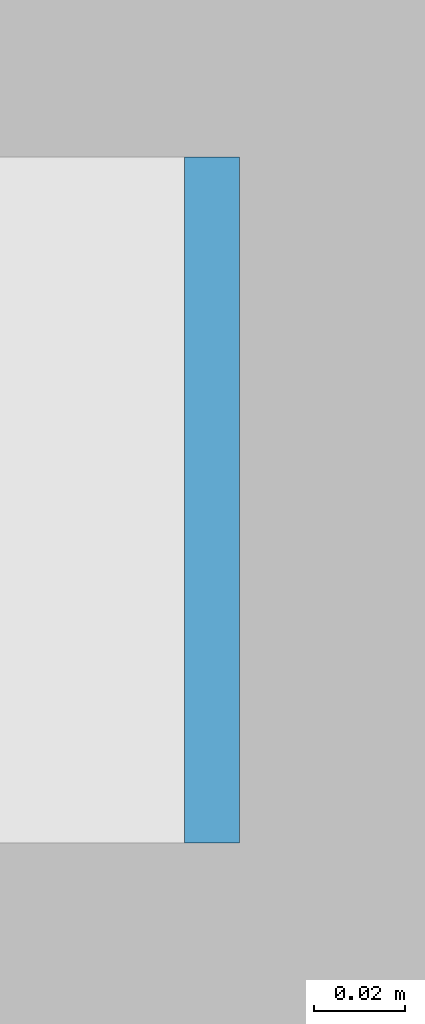
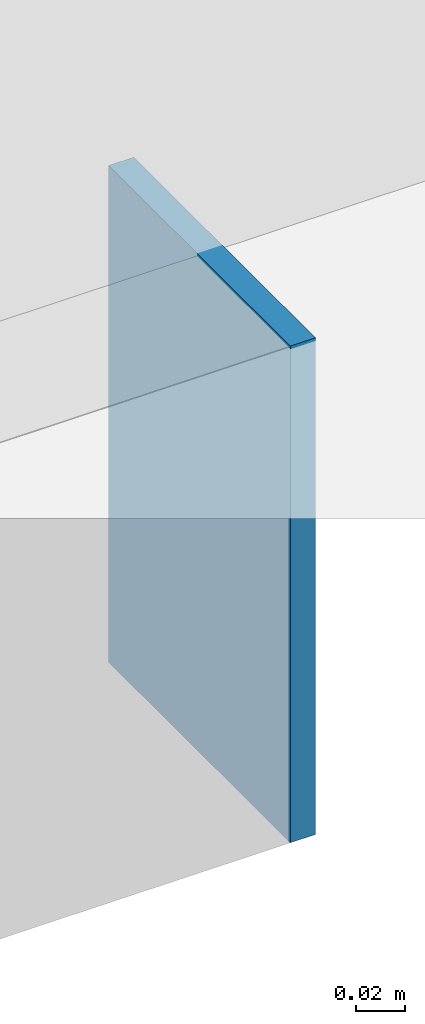
# One storey, part 74 of 98: 1 discrete accessory.
"""IFC4 building model written with IfcOpenShell, lengths in metres."""

import ifcopenshell
import ifcopenshell.guid

model = None  # the IFC model being written
_history = None  # IfcOwnerHistory: only IFC2X3 demands one
_inside = {}  # id of a spatial element -> (the spatial element, [elements in it])
_under = {}  # id of a project, library or spatial element -> (it, [spatial elements below it])
_declared = {}  # id of a project -> (the project, [libraries it declares])
_typed = {}  # id of a type object -> (the type object, [elements of that type])
_made_of = {}  # id of a material, layer set ... -> (it, [elements and type objects made of it])


def new_model(schema):
    """Start an empty IFC model of exactly this schema.

    Asked for "IFC4X3", IfcOpenShell would pick the latest addendum, in which some entities
    have other attributes; the version numbers below select the first issue.
    IFC2X3 requires an IfcOwnerHistory on every rooted entity: one is made here for all.
    """
    global model, _history
    if schema == "IFC4X3":
        model = ifcopenshell.file(schema_version=(4, 3, 0, 0))
    else:
        model = ifcopenshell.file(schema=schema)
    _inside.clear()
    _under.clear()
    _declared.clear()
    _typed.clear()
    _made_of.clear()
    _history = None
    if model.schema == "IFC2X3":
        org = make("IfcOrganization", Name="unknown")
        user = make(
            "IfcPersonAndOrganization",
            ThePerson=make("IfcPerson", FamilyName="unknown"),
            TheOrganization=org,
        )
        app = make(
            "IfcApplication",
            ApplicationDeveloper=org,
            Version="unknown",
            ApplicationFullName="unknown",
            ApplicationIdentifier="unknown",
        )
        _history = make(
            "IfcOwnerHistory",
            OwningUser=user,
            OwningApplication=app,
            ChangeAction="ADDED",
            CreationDate=0,
        )
    return model


def make(cls, **values):
    """One entity of the class cls with the attributes given. An attribute that is None is left unset."""
    return model.create_entity(
        cls, **{name: value for name, value in values.items() if value is not None}
    )


def rooted(cls, **values):
    """An entity with a GlobalId (a new one), such as an element, a storey or a relation."""
    return make(cls, GlobalId=ifcopenshell.guid.new(), OwnerHistory=_history, **values)


def si_unit(unit_type, name, prefix=None):
    """IfcSIUnit, for example si_unit("LENGTHUNIT", "METRE", prefix="MILLI")."""
    return make("IfcSIUnit", UnitType=unit_type, Prefix=prefix, Name=name)


def assignment(units):
    """IfcUnitAssignment: the units of a project."""
    return None if units is None else make("IfcUnitAssignment", Units=units)


def point(xyz):
    """IfcCartesianPoint."""
    return None if xyz is None else make("IfcCartesianPoint", Coordinates=xyz)


def direction(xyz):
    """IfcDirection."""
    return None if xyz is None else make("IfcDirection", DirectionRatios=xyz)


def frame(location, z_axis=None, x_axis=None):
    """IfcAxis2Placement3D, a coordinate frame: its origin and axes. An axis left out is left unset."""
    return make(
        "IfcAxis2Placement3D",
        Location=point(location),
        Axis=direction(z_axis),
        RefDirection=direction(x_axis),
    )


def origin():
    """The frame at (0, 0, 0) with its axes left unset."""
    return frame((0.0, 0.0, 0.0))


def place(relative_to, where):
    """IfcLocalPlacement: puts the frame where relative to a parent placement (None: the world)."""
    return make(
        "IfcLocalPlacement", PlacementRelTo=relative_to, RelativePlacement=where
    )


def context(
    kind, dimensions, precision=None, world=None, true_north=None, identifier=None
):
    """IfcGeometricRepresentationContext, for example the 3D "Model" context."""
    return make(
        "IfcGeometricRepresentationContext",
        ContextIdentifier=identifier,
        ContextType=kind,
        CoordinateSpaceDimension=dimensions,
        Precision=precision,
        WorldCoordinateSystem=world,
        TrueNorth=true_north,
    )


def subcontext(parent, identifier, kind, view, scale=None):
    """IfcGeometricRepresentationSubContext, for example "Body" below "Model"."""
    return make(
        "IfcGeometricRepresentationSubContext",
        ContextIdentifier=identifier,
        ContextType=kind,
        ParentContext=parent,
        TargetScale=scale,
        TargetView=view,
    )


def project(units=None, contexts=None):
    """IfcProject with its units and contexts."""
    return rooted(
        "IfcProject",
        Name="project",
        RepresentationContexts=contexts,
        UnitsInContext=assignment(units),
    )


def spatial(cls, under=None, at=None, **own):
    """A site, building, storey or space (cls), placed at a placement, below another one or the project."""
    s = rooted(cls, ObjectPlacement=at, **own)
    if under is not None:
        _under.setdefault(under.id(), (under, []))[1].append(s)
    return s


def polyline(points):
    """IfcPolyline through the points."""
    return make("IfcPolyline", Points=[point(p) for p in points])


def outline(outer, holes=None, kind="AREA"):
    """IfcArbitraryClosedProfileDef: a profile drawn as a closed curve; with holes, ...WithVoids."""
    if holes is None:
        return make("IfcArbitraryClosedProfileDef", ProfileType=kind, OuterCurve=outer)
    return make(
        "IfcArbitraryProfileDefWithVoids",
        ProfileType=kind,
        OuterCurve=outer,
        InnerCurves=holes,
    )


def extrude(swept, where, along, depth):
    """IfcExtrudedAreaSolid: the profile swept, set in the frame where, extruded along a direction by depth."""
    return make(
        "IfcExtrudedAreaSolid",
        SweptArea=swept,
        Position=where,
        ExtrudedDirection=direction(along),
        Depth=depth,
    )


def shape(context_of_items, identifier, shape_type, items):
    """IfcShapeRepresentation: the items that make up one representation, for example the "Body"."""
    return make(
        "IfcShapeRepresentation",
        ContextOfItems=context_of_items,
        RepresentationIdentifier=identifier,
        RepresentationType=shape_type,
        Items=items,
    )


def material(Name=None, Category=None):
    """IfcMaterial."""
    return make("IfcMaterial", Name=Name, Category=Category)


def layer(
    of_material, thickness, ventilated=None, Name=None, Category=None, Priority=None
):
    """IfcMaterialLayer: one layer of a wall or slab, of a material (None: an air gap)."""
    return make(
        "IfcMaterialLayer",
        Material=of_material,
        LayerThickness=thickness,
        IsVentilated=ventilated,
        Name=Name,
        Category=Category,
        Priority=Priority,
    )


def layer_set(layers, Name=None):
    """IfcMaterialLayerSet."""
    return make("IfcMaterialLayerSet", MaterialLayers=layers, LayerSetName=Name)


def made_of(thing, what):
    """Note that an element or type object is made of a material, layer set ...; save() writes the relation."""
    if what is not None:
        _made_of.setdefault(what.id(), (what, []))[1].append(thing)
    return thing


def type_object(cls, material=None, **own):
    """A type object (cls), such as IfcWallType, which elements share."""
    return made_of(rooted(cls, **own), material)


def element(
    cls,
    number,
    at=None,
    inside=None,
    cuts=None,
    type_object=None,
    material=None,
    context=None,
    identifier="Body",
    shape_type=None,
    held_by="IfcProductDefinitionShape",
    body=None,
    shapes=None,
    **own,
):
    """One element of the class cls, such as IfcWall. Its Tag is "e" and its number.

    at: its placement. inside: the storey or other place that contains it. cuts: it is an
    opening in that element (IfcRelVoidsElement). A single representation is given by context,
    identifier, shape_type and body (its items); several are given by shapes. held_by: the class
    of the entity that holds the representations. save() writes the other relations.
    """
    e = rooted(cls, Tag="e%d" % number, ObjectPlacement=at, **own)
    if body is not None:
        shapes = [shape(context, identifier, shape_type, body)]
    if shapes is not None:
        e.Representation = make(held_by, Representations=shapes)
    if inside is not None:
        _inside.setdefault(inside.id(), (inside, []))[1].append(e)
    if cuts is not None:
        rooted(
            "IfcRelVoidsElement", RelatingBuildingElement=cuts, RelatedOpeningElement=e
        )
    if type_object is not None:
        _typed.setdefault(type_object.id(), (type_object, []))[1].append(e)
    return made_of(e, material)


def aggregate(whole, parts):
    """IfcRelAggregates: a whole, such as a stair, and the parts it consists of."""
    return rooted("IfcRelAggregates", RelatingObject=whole, RelatedObjects=parts)


def save(model, path):
    """Write the relations noted so far, then the file.

    IfcRelAggregates (storeys below a building ...), IfcRelContainedInSpatialStructure (elements
    in a storey), IfcRelDefinesByType, IfcRelAssociatesMaterial and IfcRelDeclares: one each for
    every whole, place, type object, material and project.
    """
    for whole, parts in _under.values():
        aggregate(whole, parts)
    for where, things in _inside.values():
        rooted(
            "IfcRelContainedInSpatialStructure",
            RelatedElements=things,
            RelatingStructure=where,
        )
    for kind, things in _typed.values():
        rooted("IfcRelDefinesByType", RelatedObjects=things, RelatingType=kind)
    for what, things in _made_of.values():
        rooted("IfcRelAssociatesMaterial", RelatedObjects=things, RelatingMaterial=what)
    for by, libraries in _declared.values():
        rooted("IfcRelDeclares", RelatingContext=by, RelatedDefinitions=libraries)
    model.write(path)


model = new_model("IFC4")

# Units and contexts
model_context = context("Model", 3, precision=1e-05, world=origin(), true_north=direction((0.0, 1.0)))
body_context = subcontext(model_context, "Body", "Model", "MODEL_VIEW")
ifc_project = project(units=[si_unit("LENGTHUNIT", "METRE"), si_unit("AREAUNIT", "SQUARE_METRE"), si_unit("VOLUMEUNIT", "CUBIC_METRE"), si_unit("PLANEANGLEUNIT", "RADIAN"), si_unit("MASSUNIT", "GRAM", prefix="KILO")], contexts=[model_context])

# Site, building, storey
site_placement = place(None, origin())
site = spatial("IfcSite", under=ifc_project, at=site_placement, CompositionType="ELEMENT")
building_placement = place(site_placement, origin())
building = spatial("IfcBuilding", under=site, at=building_placement, Name="Kisiwana Market Hall", CompositionType="ELEMENT")
storey_placement = place(building_placement, frame((0.0, 0.0, 29.39990234375)))
storey = spatial("IfcBuildingStorey", under=building, at=storey_placement, Name="L06", CompositionType="ELEMENT", Elevation=29.39990234375)

# Discrete accessory
ifc_material = material(Name="Steel S355", Category="steel")
ifc_layer = layer(ifc_material, 0.011962890625)
ifc_layer_set = layer_set([ifc_layer], Name="ACC-ENDCAP-STL")
discrete_accessory_type = type_object("IfcDiscreteAccessoryType", Name="ACC-ENDCAP-STL", PredefinedType="USERDEFINED", material=ifc_layer_set)
discrete_accessory_placement = place(storey_placement, frame((0.0, 0.0, -0.494873046875)))
element("IfcDiscreteAccessory", 1, at=discrete_accessory_placement, inside=storey, type_object=discrete_accessory_type, Name="End cap plate EC-0087", ObjectType="End cap plate", PredefinedType="USERDEFINED", context=body_context, shape_type="SweptSolid", body=[
    extrude(outline(polyline([(8.85400390625, 110.925048828125), (8.865966796875, 110.925048828125), (8.865966796875, 111.074951171875), (8.85400390625, 111.074951171875), (8.85400390625, 110.925048828125)])), origin(), (0.0, 0.0, 1.0), 0.25),
])

save(model, "model.ifc")
